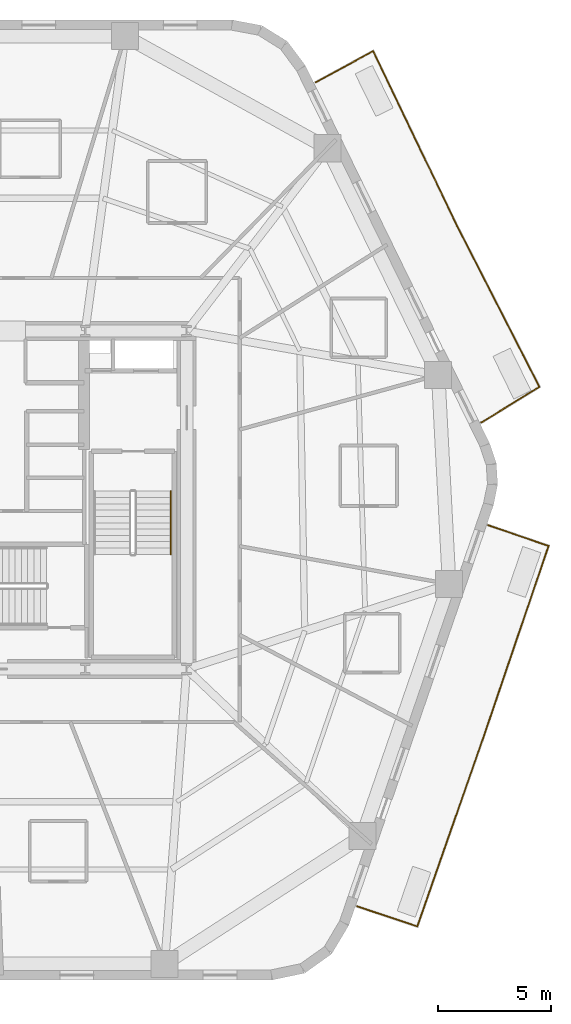
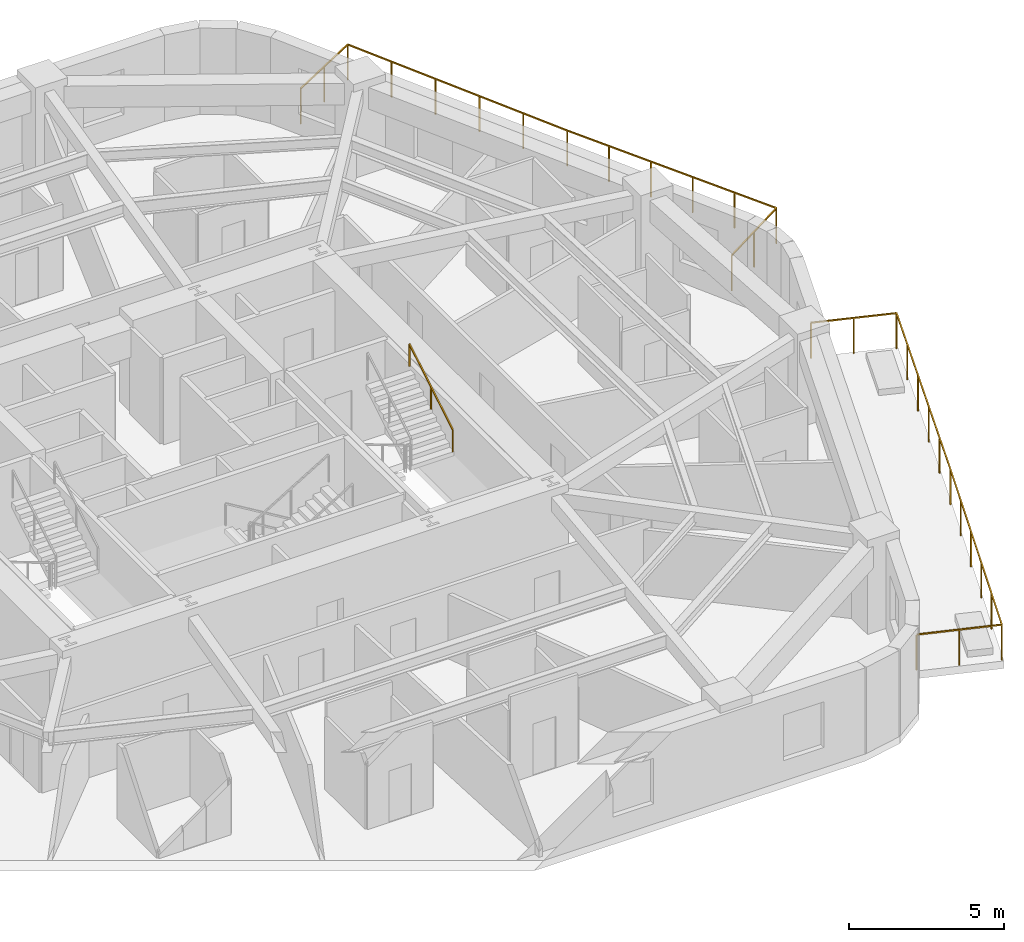
# One storey, part 10 of 10: 3 railings.
"""IFC4 building model written with IfcOpenShell, lengths in metres."""

from ifc_helpers import new_model, si_unit, direction, frame, origin, origin_2d, place, context, subcontext, project, spatial, rectangle, extrude, material, layer, layer_set, type_object, element, save


model = new_model("IFC4")

# Units and contexts
model_context = context("Model", 3, precision=1e-05, world=origin(), true_north=direction((0.0, 1.0)))
body_context = subcontext(model_context, "Body", "Model", "MODEL_VIEW")
ifc_project = project(units=[si_unit("LENGTHUNIT", "METRE"), si_unit("AREAUNIT", "SQUARE_METRE"), si_unit("VOLUMEUNIT", "CUBIC_METRE"), si_unit("PLANEANGLEUNIT", "RADIAN"), si_unit("MASSUNIT", "GRAM", prefix="KILO")], contexts=[model_context])

# Site, building, storey
site_placement = place(None, origin())
site = spatial("IfcSite", under=ifc_project, at=site_placement, CompositionType="ELEMENT")
building_placement = place(site_placement, origin())
building = spatial("IfcBuilding", under=site, at=building_placement, Name="Kilnhurst Terrace Hotel", CompositionType="ELEMENT")
storey_placement = place(building_placement, frame((0.0, 0.0, 113.60009765625)))
storey = spatial("IfcBuildingStorey", under=building, at=storey_placement, Name="L27", CompositionType="ELEMENT", Elevation=113.60009765625)

# Railings
ifc_material_1 = material(Name="Laminated SentryGlas and Stainless Steel AISI 316L Balustrade", Category="steel")
ifc_layer_1 = layer(ifc_material_1, 0.070068359375, Name="Laminated SentryGlas and Stainless Steel AISI 316L Balustrade")
ifc_layer_set_1 = layer_set([ifc_layer_1], Name="Laminated SentryGlas and Stainless Steel AISI 316L Balustrade")
railing_type_1 = type_object("IfcRailingType", Name="RLG-BAL-1420", PredefinedType="BALUSTRADE", material=ifc_layer_set_1)
railing_1_placement = place(storey_placement, frame((22.394287109375, -1.123779296875, 0.0)))
element("IfcRailing", 1, at=railing_1_placement, inside=storey, type_object=railing_type_1, Name="L27 Exterior Terrace Guardrail BAL-L1A.1", PredefinedType="BALUSTRADE", context=body_context, shape_type="SweptSolid", body=[
    extrude(rectangle(XDim=0.048095703125, YDim=0.048095703125, at=origin_2d()), frame((0.0, 0.0, 1.39599609375), z_axis=(0.945999088216, -0.324169284625, 0.0), x_axis=(0.324169284625, 0.945999088216, 0.0)), (0.0, 0.0, 1.0), 2.818115234375),
    extrude(rectangle(XDim=0.048095703125, YDim=0.048095703125, at=origin_2d()), frame((2.666015625, -0.91357421875, 1.39599609375), z_axis=(-0.322236749626, -0.946659113509, 0.0), x_axis=(0.946659113509, -0.322236749626, 0.0)), (0.0, 0.0, 1.0), 8.94921875),
    extrude(rectangle(XDim=0.048095703125, YDim=0.048095703125, at=origin_2d()), frame((-0.2177734375, -9.385498046875, 1.39599609375), z_axis=(-0.329867270016, -0.94402732173, 0.0), x_axis=(0.94402732173, -0.329867270016, 0.0)), (0.0, 0.0, 1.0), 8.9140625),
    extrude(rectangle(XDim=0.048095703125, YDim=0.048095703125, at=origin_2d()), frame((-3.158203125, -17.800537109375, 1.39599609375), z_axis=(-0.948125796951, 0.317895380834, 0.0), x_axis=(-0.317895380834, -0.948125796951, 0.0)), (0.0, 0.0, 1.0), 2.81005859375),
    extrude(rectangle(XDim=0.0419921875, YDim=0.0419921875, at=origin_2d()), origin(), (0.0, 0.0, 1.0), 1.371826171875),
    extrude(rectangle(XDim=0.0419921875, YDim=0.0419921875, at=origin_2d()), frame((1.3330078125, -0.456787109375, 0.0)), (0.0, 0.0, 1.0), 1.371826171875),
    extrude(rectangle(XDim=0.0419921875, YDim=0.0419921875, at=origin_2d()), frame((2.666015625, -0.91357421875, 0.0)), (0.0, 0.0, 1.0), 1.371826171875),
    extrude(rectangle(XDim=0.0419921875, YDim=0.0419921875, at=origin_2d()), frame((2.08935546875, -2.60791015625, 0.0)), (0.0, 0.0, 1.0), 1.371826171875),
    extrude(rectangle(XDim=0.0419921875, YDim=0.0419921875, at=origin_2d()), frame((1.512451171875, -4.30224609375, 0.0)), (0.0, 0.0, 1.0), 1.371826171875),
    extrude(rectangle(XDim=0.0419921875, YDim=0.0419921875, at=origin_2d()), frame((0.935791015625, -5.996826171875, 0.0)), (0.0, 0.0, 1.0), 1.371826171875),
    extrude(rectangle(XDim=0.0419921875, YDim=0.0419921875, at=origin_2d()), frame((0.35888671875, -7.691162109375, 0.0)), (0.0, 0.0, 1.0), 1.371826171875),
    extrude(rectangle(XDim=0.0419921875, YDim=0.0419921875, at=origin_2d()), frame((-0.2177734375, -9.385498046875, 0.0)), (0.0, 0.0, 1.0), 1.371826171875),
    extrude(rectangle(XDim=0.0419921875, YDim=0.0419921875, at=origin_2d()), frame((-0.805908203125, -11.068603515625, 0.0)), (0.0, 0.0, 1.0), 1.371826171875),
    extrude(rectangle(XDim=0.0419921875, YDim=0.0419921875, at=origin_2d()), frame((-1.39404296875, -12.75146484375, 0.0)), (0.0, 0.0, 1.0), 1.371826171875),
    extrude(rectangle(XDim=0.0419921875, YDim=0.0419921875, at=origin_2d()), frame((-1.98193359375, -14.4345703125, 0.0)), (0.0, 0.0, 1.0), 1.371826171875),
    extrude(rectangle(XDim=0.0419921875, YDim=0.0419921875, at=origin_2d()), frame((-2.570068359375, -16.117431640625, 0.0)), (0.0, 0.0, 1.0), 1.371826171875),
    extrude(rectangle(XDim=0.0419921875, YDim=0.0419921875, at=origin_2d()), frame((-3.158203125, -17.800537109375, 0.0)), (0.0, 0.0, 1.0), 1.371826171875),
    extrude(rectangle(XDim=0.0419921875, YDim=0.0419921875, at=origin_2d()), frame((-4.490234375, -17.35400390625, 0.0)), (0.0, 0.0, 1.0), 1.371826171875),
    extrude(rectangle(XDim=0.0419921875, YDim=0.0419921875, at=origin_2d()), frame((-5.822509765625, -16.9072265625, 0.0)), (0.0, 0.0, 1.0), 1.371826171875),
])
railing_2_placement = place(storey_placement, frame((14.722900390625, 18.529541015625, 0.0)))
element("IfcRailing", 2, at=railing_2_placement, inside=storey, type_object=railing_type_1, Name="L27 Exterior Terrace Guardrail BAL-L1B.1", PredefinedType="BALUSTRADE", context=body_context, shape_type="SweptSolid", body=[
    extrude(rectangle(XDim=0.048095703125, YDim=0.048095703125, at=origin_2d()), frame((0.0, 0.0, 1.39599609375), z_axis=(0.878553207741, 0.477644492451, 0.0), x_axis=(-0.477644492451, 0.878553207741, 0.0)), (0.0, 0.0, 1.0), 2.90478515625),
    extrude(rectangle(XDim=0.048095703125, YDim=0.048095703125, at=origin_2d()), frame((2.552001953125, 1.387451171875, 1.39599609375), z_axis=(0.43291229924, -0.901436043858, 0.0), x_axis=(0.901436043858, 0.43291229924, 0.0)), (0.0, 0.0, 1.0), 8.583251953125),
    extrude(rectangle(XDim=0.048095703125, YDim=0.048095703125, at=origin_2d()), frame((6.267822265625, -6.349853515625, 1.39599609375), z_axis=(0.514495755428, -0.857492925713, 0.0), x_axis=(0.857492925713, 0.514495755428, 0.0)), (0.0, 0.0, 1.0), 0.00146484375),
    extrude(rectangle(XDim=0.048095703125, YDim=0.048095703125, at=origin_2d()), frame((6.2685546875, -6.35107421875, 1.39599609375), z_axis=(0.455744437697, -0.890110671494, 0.0), x_axis=(0.890110671494, 0.455744437697, 0.0)), (0.0, 0.0, 1.0), 8.039794921875),
    extrude(rectangle(XDim=0.048095703125, YDim=0.048095703125, at=origin_2d()), frame((9.9326171875, -13.50732421875, 1.39599609375), z_axis=(-0.85191630472, -0.523677963784, 0.0), x_axis=(0.523677963784, -0.85191630472, 0.0)), (0.0, 0.0, 1.0), 3.0205078125),
    extrude(rectangle(XDim=0.0419921875, YDim=0.0419921875, at=origin_2d()), origin(), (0.0, 0.0, 1.0), 1.371826171875),
    extrude(rectangle(XDim=0.0419921875, YDim=0.0419921875, at=origin_2d()), frame((1.27587890625, 0.69384765625, 0.0)), (0.0, 0.0, 1.0), 1.371826171875),
    extrude(rectangle(XDim=0.0419921875, YDim=0.0419921875, at=origin_2d()), frame((2.552001953125, 1.387451171875, 0.0)), (0.0, 0.0, 1.0), 1.371826171875),
    extrude(rectangle(XDim=0.0419921875, YDim=0.0419921875, at=origin_2d()), frame((3.295166015625, -0.159912109375, 0.0)), (0.0, 0.0, 1.0), 1.371826171875),
    extrude(rectangle(XDim=0.0419921875, YDim=0.0419921875, at=origin_2d()), frame((4.038330078125, -1.70751953125, 0.0)), (0.0, 0.0, 1.0), 1.371826171875),
    extrude(rectangle(XDim=0.0419921875, YDim=0.0419921875, at=origin_2d()), frame((4.781494140625, -3.2548828125, 0.0)), (0.0, 0.0, 1.0), 1.371826171875),
    extrude(rectangle(XDim=0.0419921875, YDim=0.0419921875, at=origin_2d()), frame((5.524658203125, -4.802490234375, 0.0)), (0.0, 0.0, 1.0), 1.371826171875),
    extrude(rectangle(XDim=0.0419921875, YDim=0.0419921875, at=origin_2d()), frame((6.267822265625, -6.349853515625, 0.0)), (0.0, 0.0, 1.0), 1.371826171875),
    extrude(rectangle(XDim=0.0419921875, YDim=0.0419921875, at=origin_2d()), frame((6.2685546875, -6.35107421875, 0.0)), (0.0, 0.0, 1.0), 1.371826171875),
    extrude(rectangle(XDim=0.0419921875, YDim=0.0419921875, at=origin_2d()), frame((7.00146484375, -7.7822265625, 0.0)), (0.0, 0.0, 1.0), 1.371826171875),
    extrude(rectangle(XDim=0.0419921875, YDim=0.0419921875, at=origin_2d()), frame((7.734130859375, -9.213623046875, 0.0)), (0.0, 0.0, 1.0), 1.371826171875),
    extrude(rectangle(XDim=0.0419921875, YDim=0.0419921875, at=origin_2d()), frame((8.467041015625, -10.644775390625, 0.0)), (0.0, 0.0, 1.0), 1.371826171875),
    extrude(rectangle(XDim=0.0419921875, YDim=0.0419921875, at=origin_2d()), frame((9.19970703125, -12.076171875, 0.0)), (0.0, 0.0, 1.0), 1.371826171875),
    extrude(rectangle(XDim=0.0419921875, YDim=0.0419921875, at=origin_2d()), frame((9.9326171875, -13.50732421875, 0.0)), (0.0, 0.0, 1.0), 1.371826171875),
    extrude(rectangle(XDim=0.0419921875, YDim=0.0419921875, at=origin_2d()), frame((8.64599609375, -14.29833984375, 0.0)), (0.0, 0.0, 1.0), 1.371826171875),
    extrude(rectangle(XDim=0.0419921875, YDim=0.0419921875, at=origin_2d()), frame((7.359375, -15.089111328125, 0.0)), (0.0, 0.0, 1.0), 1.371826171875),
])
ifc_material_2 = material(Name="Brushed Stainless Steel AISI 304", Category="steel")
ifc_layer_2 = layer(ifc_material_2, 0.048095703125, Name="Brushed Stainless Steel AISI 304")
ifc_layer_set_2 = layer_set([ifc_layer_2], Name="Brushed Stainless Steel AISI 304")
railing_type_2 = type_object("IfcRailingType", Name="RLG-ST-HRL-900", PredefinedType="HANDRAIL", material=ifc_layer_set_2)
railing_3_placement = place(storey_placement, frame((8.300048828125, -2.409912109375, 2.01806640625)))
element("IfcRailing", 3, at=railing_3_placement, inside=storey, type_object=railing_type_2, Name="L27 ST-2 stair handrail 2", PredefinedType="HANDRAIL", context=body_context, shape_type="SweptSolid", body=[
    extrude(rectangle(XDim=0.048095703125, YDim=0.048095703125, at=origin_2d()), frame((0.0, 0.0, 0.8759765625), z_axis=(0.0, 0.857222391501, 0.514946377315), x_axis=(-1.0, 0.0, 0.0)), (0.0, 0.0, 1.0), 3.26611328125),
    extrude(rectangle(XDim=0.0419921875, YDim=0.0419921875, at=origin_2d()), origin(), (0.0, 0.0, 1.0), 0.851806640625),
    extrude(rectangle(XDim=0.0419921875, YDim=0.0419921875, at=origin_2d()), frame((0.0, 1.39990234375, 0.8408203125)), (0.0, 0.0, 1.0), 0.851806640625),
    extrude(rectangle(XDim=0.0419921875, YDim=0.0419921875, at=origin_2d()), frame((0.0, 2.7998046875, 1.681884765625)), (0.0, 0.0, 1.0), 0.851806640625),
])

save(model, "model.ifc")
